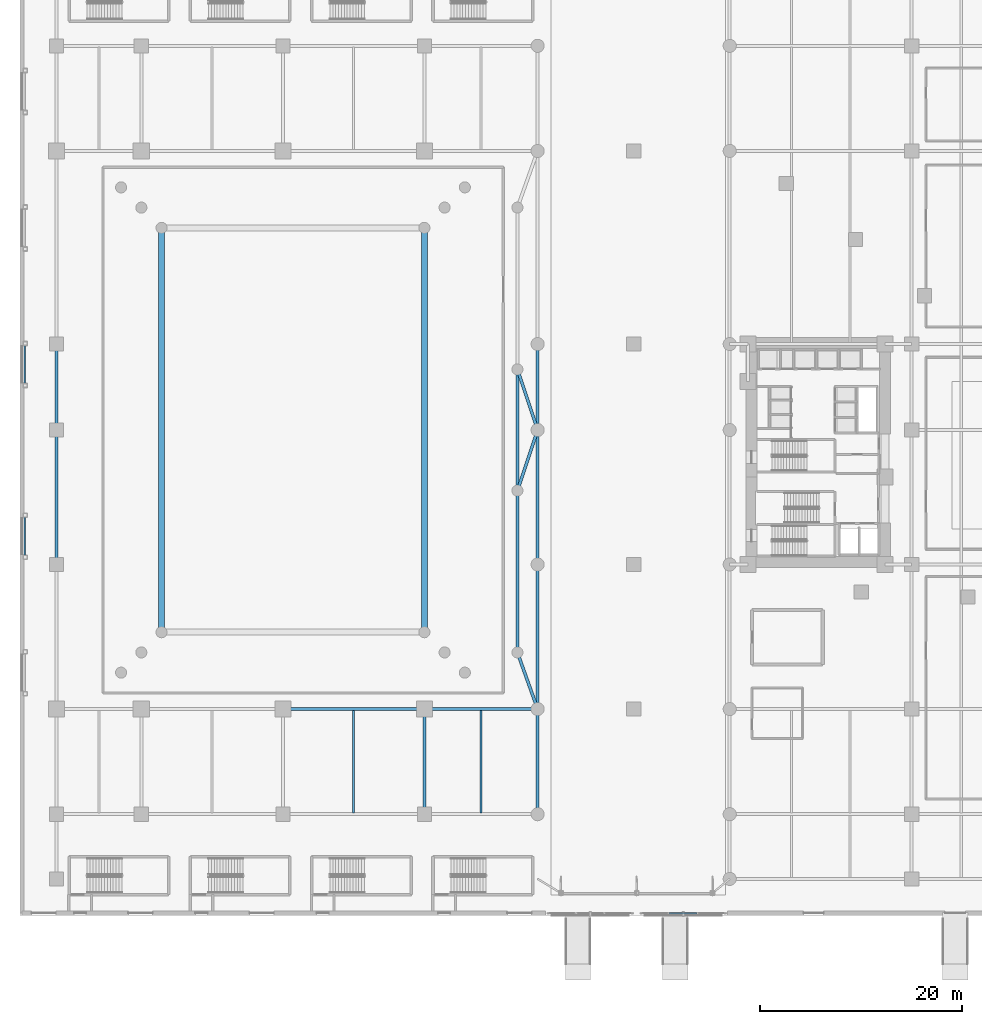
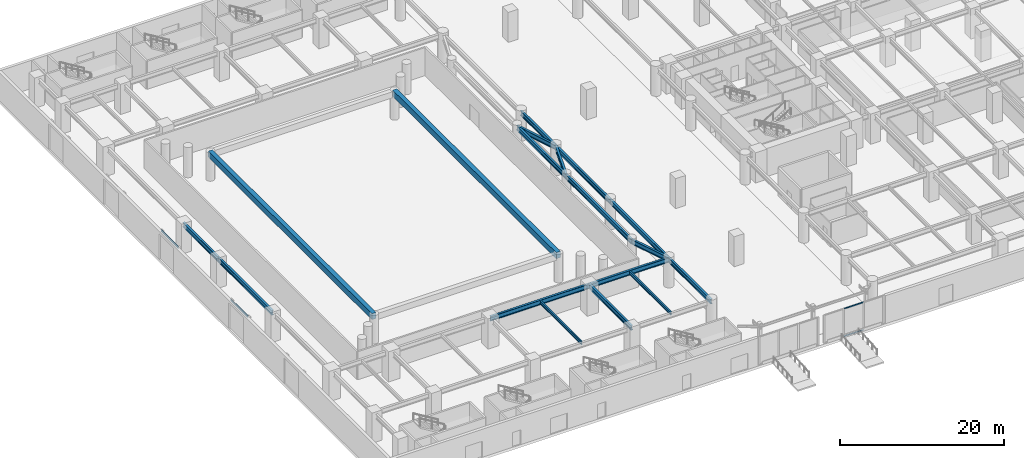
# One storey, part 13 of 42: 20 beams, 2 members, 1 element without a shape of its own.
"""IFC4 building model written with IfcOpenShell, lengths in metres."""

import ifcopenshell
import ifcopenshell.guid

model = None  # the IFC model being written
_history = None  # IfcOwnerHistory: only IFC2X3 demands one
_inside = {}  # id of a spatial element -> (the spatial element, [elements in it])
_under = {}  # id of a project, library or spatial element -> (it, [spatial elements below it])
_declared = {}  # id of a project -> (the project, [libraries it declares])
_typed = {}  # id of a type object -> (the type object, [elements of that type])
_made_of = {}  # id of a material, layer set ... -> (it, [elements and type objects made of it])


def new_model(schema):
    """Start an empty IFC model of exactly this schema.

    Asked for "IFC4X3", IfcOpenShell would pick the latest addendum, in which some entities
    have other attributes; the version numbers below select the first issue.
    IFC2X3 requires an IfcOwnerHistory on every rooted entity: one is made here for all.
    """
    global model, _history
    if schema == "IFC4X3":
        model = ifcopenshell.file(schema_version=(4, 3, 0, 0))
    else:
        model = ifcopenshell.file(schema=schema)
    _inside.clear()
    _under.clear()
    _declared.clear()
    _typed.clear()
    _made_of.clear()
    _history = None
    if model.schema == "IFC2X3":
        org = make("IfcOrganization", Name="unknown")
        user = make(
            "IfcPersonAndOrganization",
            ThePerson=make("IfcPerson", FamilyName="unknown"),
            TheOrganization=org,
        )
        app = make(
            "IfcApplication",
            ApplicationDeveloper=org,
            Version="unknown",
            ApplicationFullName="unknown",
            ApplicationIdentifier="unknown",
        )
        _history = make(
            "IfcOwnerHistory",
            OwningUser=user,
            OwningApplication=app,
            ChangeAction="ADDED",
            CreationDate=0,
        )
    return model


def make(cls, **values):
    """One entity of the class cls with the attributes given. An attribute that is None is left unset."""
    return model.create_entity(
        cls, **{name: value for name, value in values.items() if value is not None}
    )


def rooted(cls, **values):
    """An entity with a GlobalId (a new one), such as an element, a storey or a relation."""
    return make(cls, GlobalId=ifcopenshell.guid.new(), OwnerHistory=_history, **values)


def si_unit(unit_type, name, prefix=None):
    """IfcSIUnit, for example si_unit("LENGTHUNIT", "METRE", prefix="MILLI")."""
    return make("IfcSIUnit", UnitType=unit_type, Prefix=prefix, Name=name)


def assignment(units):
    """IfcUnitAssignment: the units of a project."""
    return None if units is None else make("IfcUnitAssignment", Units=units)


def point(xyz):
    """IfcCartesianPoint."""
    return None if xyz is None else make("IfcCartesianPoint", Coordinates=xyz)


def direction(xyz):
    """IfcDirection."""
    return None if xyz is None else make("IfcDirection", DirectionRatios=xyz)


def frame(location, z_axis=None, x_axis=None):
    """IfcAxis2Placement3D, a coordinate frame: its origin and axes. An axis left out is left unset."""
    return make(
        "IfcAxis2Placement3D",
        Location=point(location),
        Axis=direction(z_axis),
        RefDirection=direction(x_axis),
    )


def frame_2d(location, x_axis=None):
    """IfcAxis2Placement2D, a coordinate frame in the plane: its origin and x axis."""
    return make(
        "IfcAxis2Placement2D", Location=point(location), RefDirection=direction(x_axis)
    )


def origin():
    """The frame at (0, 0, 0) with its axes left unset."""
    return frame((0.0, 0.0, 0.0))


def origin_2d():
    """The frame at (0, 0) in the plane with its x axis left unset."""
    return frame_2d((0.0, 0.0))


def place(relative_to, where):
    """IfcLocalPlacement: puts the frame where relative to a parent placement (None: the world)."""
    return make(
        "IfcLocalPlacement", PlacementRelTo=relative_to, RelativePlacement=where
    )


def context(
    kind, dimensions, precision=None, world=None, true_north=None, identifier=None
):
    """IfcGeometricRepresentationContext, for example the 3D "Model" context."""
    return make(
        "IfcGeometricRepresentationContext",
        ContextIdentifier=identifier,
        ContextType=kind,
        CoordinateSpaceDimension=dimensions,
        Precision=precision,
        WorldCoordinateSystem=world,
        TrueNorth=true_north,
    )


def subcontext(parent, identifier, kind, view, scale=None):
    """IfcGeometricRepresentationSubContext, for example "Body" below "Model"."""
    return make(
        "IfcGeometricRepresentationSubContext",
        ContextIdentifier=identifier,
        ContextType=kind,
        ParentContext=parent,
        TargetScale=scale,
        TargetView=view,
    )


def project(units=None, contexts=None):
    """IfcProject with its units and contexts."""
    return rooted(
        "IfcProject",
        Name="project",
        RepresentationContexts=contexts,
        UnitsInContext=assignment(units),
    )


def spatial(cls, under=None, at=None, **own):
    """A site, building, storey or space (cls), placed at a placement, below another one or the project."""
    s = rooted(cls, ObjectPlacement=at, **own)
    if under is not None:
        _under.setdefault(under.id(), (under, []))[1].append(s)
    return s


def profile(cls, at=None, kind="AREA", **sizes):
    """A parametric profile (cls). Its sizes go by their IFC names, for example OverallWidth=200.0."""
    return make(cls, ProfileType=kind, Position=at, **sizes)


def rectangle(**sizes):
    """IfcRectangleProfileDef."""
    return profile("IfcRectangleProfileDef", **sizes)


def hollow_rectangle(**sizes):
    """IfcRectangleHollowProfileDef."""
    return profile("IfcRectangleHollowProfileDef", **sizes)


def i_section(**sizes):
    """IfcIShapeProfileDef."""
    return profile("IfcIShapeProfileDef", **sizes)


def extrude(swept, where, along, depth):
    """IfcExtrudedAreaSolid: the profile swept, set in the frame where, extruded along a direction by depth."""
    return make(
        "IfcExtrudedAreaSolid",
        SweptArea=swept,
        Position=where,
        ExtrudedDirection=direction(along),
        Depth=depth,
    )


def shape(context_of_items, identifier, shape_type, items):
    """IfcShapeRepresentation: the items that make up one representation, for example the "Body"."""
    return make(
        "IfcShapeRepresentation",
        ContextOfItems=context_of_items,
        RepresentationIdentifier=identifier,
        RepresentationType=shape_type,
        Items=items,
    )


def material(Name=None, Category=None):
    """IfcMaterial."""
    return make("IfcMaterial", Name=Name, Category=Category)


def material_profile(
    of_material, cross_section, Name=None, Category=None, Priority=None
):
    """IfcMaterialProfile: a cross section and its material."""
    return make(
        "IfcMaterialProfile",
        Name=Name,
        Material=of_material,
        Profile=cross_section,
        Priority=Priority,
        Category=Category,
    )


def profile_set(profiles, Name=None, composite=None):
    """IfcMaterialProfileSet."""
    return make(
        "IfcMaterialProfileSet",
        Name=Name,
        MaterialProfiles=profiles,
        CompositeProfile=composite,
    )


def made_of(thing, what):
    """Note that an element or type object is made of a material, layer set ...; save() writes the relation."""
    if what is not None:
        _made_of.setdefault(what.id(), (what, []))[1].append(thing)
    return thing


def type_object(cls, material=None, **own):
    """A type object (cls), such as IfcWallType, which elements share."""
    return made_of(rooted(cls, **own), material)


def element(
    cls,
    number,
    at=None,
    inside=None,
    cuts=None,
    type_object=None,
    material=None,
    context=None,
    identifier="Body",
    shape_type=None,
    held_by="IfcProductDefinitionShape",
    body=None,
    shapes=None,
    **own,
):
    """One element of the class cls, such as IfcWall. Its Tag is "e" and its number.

    at: its placement. inside: the storey or other place that contains it. cuts: it is an
    opening in that element (IfcRelVoidsElement). A single representation is given by context,
    identifier, shape_type and body (its items); several are given by shapes. held_by: the class
    of the entity that holds the representations. save() writes the other relations.
    """
    e = rooted(cls, Tag="e%d" % number, ObjectPlacement=at, **own)
    if body is not None:
        shapes = [shape(context, identifier, shape_type, body)]
    if shapes is not None:
        e.Representation = make(held_by, Representations=shapes)
    if inside is not None:
        _inside.setdefault(inside.id(), (inside, []))[1].append(e)
    if cuts is not None:
        rooted(
            "IfcRelVoidsElement", RelatingBuildingElement=cuts, RelatedOpeningElement=e
        )
    if type_object is not None:
        _typed.setdefault(type_object.id(), (type_object, []))[1].append(e)
    return made_of(e, material)


def aggregate(whole, parts):
    """IfcRelAggregates: a whole, such as a stair, and the parts it consists of."""
    return rooted("IfcRelAggregates", RelatingObject=whole, RelatedObjects=parts)


def save(model, path):
    """Write the relations noted so far, then the file.

    IfcRelAggregates (storeys below a building ...), IfcRelContainedInSpatialStructure (elements
    in a storey), IfcRelDefinesByType, IfcRelAssociatesMaterial and IfcRelDeclares: one each for
    every whole, place, type object, material and project.
    """
    for whole, parts in _under.values():
        aggregate(whole, parts)
    for where, things in _inside.values():
        rooted(
            "IfcRelContainedInSpatialStructure",
            RelatedElements=things,
            RelatingStructure=where,
        )
    for kind, things in _typed.values():
        rooted("IfcRelDefinesByType", RelatedObjects=things, RelatingType=kind)
    for what, things in _made_of.values():
        rooted("IfcRelAssociatesMaterial", RelatedObjects=things, RelatingMaterial=what)
    for by, libraries in _declared.values():
        rooted("IfcRelDeclares", RelatingContext=by, RelatedDefinitions=libraries)
    model.write(path)


model = new_model("IFC4")

# Units and contexts
model_context = context("Model", 3, precision=1e-05, world=origin(), true_north=direction((0.0, 1.0)))
body_context = subcontext(model_context, "Body", "Model", "MODEL_VIEW")
ifc_project = project(units=[si_unit("LENGTHUNIT", "METRE"), si_unit("AREAUNIT", "SQUARE_METRE"), si_unit("VOLUMEUNIT", "CUBIC_METRE"), si_unit("PLANEANGLEUNIT", "RADIAN"), si_unit("MASSUNIT", "GRAM", prefix="KILO")], contexts=[model_context])

# Site, building, storey
site_placement = place(None, origin())
site = spatial("IfcSite", under=ifc_project, at=site_placement, CompositionType="ELEMENT")
building_placement = place(site_placement, origin())
building = spatial("IfcBuilding", under=site, at=building_placement, Name="Narakoshi Arena Tower", CompositionType="ELEMENT")
storey_placement = place(building_placement, origin())
storey = spatial("IfcBuildingStorey", under=building, at=storey_placement, Name="L00", CompositionType="ELEMENT", Elevation=0.0)

# Beams
ifc_material_1 = material(Name="Structural steel S355J2", Category="steel")
ifc_material_profile_1 = material_profile(ifc_material_1, i_section(OverallWidth=0.1201171875, OverallDepth=0.239990234375, WebThickness=0.006103515625, FlangeThickness=0.009765625, FilletRadius=0.014892578125, at=origin_2d()), Name="IPE240")
ifc_profile_set_1 = profile_set([ifc_material_profile_1], Name="Structural steel S355J2")
beam_type_1 = type_object("IfcBeamType", Name="BM-LINT-240", PredefinedType="LINTEL", material=ifc_profile_set_1)
for number, where, z_axis, x_axis, name in (
    (1, (0.469970703125, 56.610107421875, 3.93994140625), (0.0, -1.0, 0.0), (1.0, 0.0, 0.0), "L00 Arena Roller-Shutter Steel Lintel 03"),
    (2, (0.469970703125, 39.610107421875, 3.93994140625), (0.0, -1.0, 0.0), (1.0, 0.0, 0.0), "L00 Arena Roller-Shutter Steel Lintel 04"),
):
    element("IfcBeam", number, at=place(storey_placement, frame(where, z_axis=z_axis, x_axis=x_axis)), inside=storey, type_object=beam_type_1, Name=name, PredefinedType="LINTEL", context=body_context, shape_type="SweptSolid", body=[
        extrude(i_section(OverallWidth=0.1201171875, OverallDepth=0.239990234375, WebThickness=0.006103515625, FlangeThickness=0.009765625, FilletRadius=0.014892578125, at=origin_2d()), origin(), (0.0, 0.0, 1.0), 4.239990234375),
    ])
ifc_material_profile_2 = material_profile(ifc_material_1, i_section(OverallWidth=0.300048828125, OverallDepth=0.699951171875, WebThickness=0.01708984375, FlangeThickness=0.031982421875, FilletRadius=0.027099609375, at=origin_2d()), Name="HE700B")
ifc_profile_set_2 = profile_set([ifc_material_profile_2], Name="Structural steel S355J2")
beam_type_2 = type_object("IfcBeamType", Name="BM-PRI-700", PredefinedType="BEAM", material=ifc_profile_set_2)
beam_1_placement = place(storey_placement, frame((49.199951171875, 26.0, 3.830078125), z_axis=(0.336331195321, -0.94174376932, 0.0), x_axis=(0.94174376932, 0.336331195321, 0.0)))
element("IfcBeam", 3, at=beam_1_placement, inside=storey, type_object=beam_type_2, Name="L00 Arena Foyer Tie Beam 01", PredefinedType="BEAM", context=body_context, shape_type="SweptSolid", body=[
    extrude(i_section(OverallWidth=0.300048828125, OverallDepth=0.699951171875, WebThickness=0.01708984375, FlangeThickness=0.031982421875, FilletRadius=0.027099609375, at=origin_2d()), origin(), (0.0, 0.0, 1.0), 5.946533203125),
])
for number, where, z_axis, x_axis, name in (
    (4, (49.199951171875, 42.0, 3.830078125), (0.316227766017, 0.948683298051, 0.0), (-0.948683298051, 0.316227766017, 0.0), "L00 Arena Foyer Tie Beam 02"),
    (5, (49.199951171875, 54.0, 3.830078125), (0.316227766017, -0.948683298051, 0.0), (0.948683298051, 0.316227766017, 0.0), "L00 Arena Foyer Tie Beam 03"),
):
    element("IfcBeam", number, at=place(storey_placement, frame(where, z_axis=z_axis, x_axis=x_axis)), inside=storey, type_object=beam_type_2, Name=name, PredefinedType="BEAM", context=body_context, shape_type="SweptSolid", body=[
        extrude(i_section(OverallWidth=0.300048828125, OverallDepth=0.699951171875, WebThickness=0.01708984375, FlangeThickness=0.031982421875, FilletRadius=0.027099609375, at=origin_2d()), origin(), (0.0, 0.0, 1.0), 6.324462890625),
    ])
beam_2_placement = place(storey_placement, frame((49.199951171875, 26.0, 3.830078125), z_axis=(0.0, 1.0, 0.0), x_axis=(-1.0, 0.0, 0.0)))
element("IfcBeam", 6, at=beam_2_placement, inside=storey, type_object=beam_type_2, Name="L00 Arena Foyer Ring Beam 26", PredefinedType="BEAM", context=body_context, shape_type="SweptSolid", body=[
    extrude(i_section(OverallWidth=0.300048828125, OverallDepth=0.699951171875, WebThickness=0.01708984375, FlangeThickness=0.031982421875, FilletRadius=0.027099609375, at=origin_2d()), origin(), (0.0, 0.0, 1.0), 16.0),
])
beam_3_placement = place(storey_placement, frame((49.199951171875, 42.0, 3.830078125), z_axis=(0.0, 1.0, 0.0), x_axis=(-1.0, 0.0, 0.0)))
element("IfcBeam", 7, at=beam_3_placement, inside=storey, type_object=beam_type_2, Name="L00 Arena Foyer Ring Beam 42", PredefinedType="BEAM", context=body_context, shape_type="SweptSolid", body=[
    extrude(i_section(OverallWidth=0.300048828125, OverallDepth=0.699951171875, WebThickness=0.01708984375, FlangeThickness=0.031982421875, FilletRadius=0.027099609375, at=origin_2d()), origin(), (0.0, 0.0, 1.0), 12.0),
])
beam_4_placement = place(storey_placement, frame((26.0, 20.39990234375, 3.830078125), z_axis=(1.0, 0.0, 0.0), x_axis=(0.0, 1.0, 0.0)))
element("IfcBeam", 8, at=beam_4_placement, inside=storey, type_object=beam_type_2, Name="L00 Podium Primary X-Girder 015", PredefinedType="BEAM", context=body_context, shape_type="SweptSolid", body=[
    extrude(i_section(OverallWidth=0.300048828125, OverallDepth=0.699951171875, WebThickness=0.01708984375, FlangeThickness=0.031982421875, FilletRadius=0.027099609375, at=origin_2d()), origin(), (0.0, 0.0, 1.0), 14.0),
])
beam_5_placement = place(storey_placement, frame((40.0, 20.39990234375, 3.830078125), z_axis=(1.0, 0.0, 0.0), x_axis=(0.0, 1.0, 0.0)))
element("IfcBeam", 9, at=beam_5_placement, inside=storey, type_object=beam_type_2, Name="L00 Podium Primary X-Girder 016", PredefinedType="BEAM", context=body_context, shape_type="SweptSolid", body=[
    extrude(i_section(OverallWidth=0.300048828125, OverallDepth=0.699951171875, WebThickness=0.01708984375, FlangeThickness=0.031982421875, FilletRadius=0.027099609375, at=origin_2d()), origin(), (0.0, 0.0, 1.0), 11.199951171875),
])
beam_6_placement = place(storey_placement, frame((3.60009765625, 34.699951171875, 3.830078125), z_axis=(0.0, 1.0, 0.0), x_axis=(-1.0, 0.0, 0.0)))
element("IfcBeam", 10, at=beam_6_placement, inside=storey, type_object=beam_type_2, Name="L00 Podium Primary Y-Girder 058", PredefinedType="BEAM", context=body_context, shape_type="SweptSolid", body=[
    extrude(i_section(OverallWidth=0.300048828125, OverallDepth=0.699951171875, WebThickness=0.01708984375, FlangeThickness=0.031982421875, FilletRadius=0.027099609375, at=origin_2d()), origin(), (0.0, 0.0, 1.0), 13.300048828125),
])
beam_7_placement = place(storey_placement, frame((3.60009765625, 48.0, 3.830078125), z_axis=(0.0, 1.0, 0.0), x_axis=(-1.0, 0.0, 0.0)))
element("IfcBeam", 11, at=beam_7_placement, inside=storey, type_object=beam_type_2, Name="L00 Podium Primary Y-Girder 059", PredefinedType="BEAM", context=body_context, shape_type="SweptSolid", body=[
    extrude(i_section(OverallWidth=0.300048828125, OverallDepth=0.699951171875, WebThickness=0.01708984375, FlangeThickness=0.031982421875, FilletRadius=0.027099609375, at=origin_2d()), origin(), (0.0, 0.0, 1.0), 8.5),
])
for number, where, z_axis, x_axis, name in (
    (12, (40.0, 10.0, 3.830078125), (0.0, 1.0, 0.0), (-1.0, 0.0, 0.0), "L00 Podium Primary Y-Girder 067"),
    (13, (51.199951171875, 10.0, 3.830078125), (0.0, 1.0, 0.0), (-1.0, 0.0, 0.0), "L00 Podium Primary Y-Girder 069"),
):
    element("IfcBeam", number, at=place(storey_placement, frame(where, z_axis=z_axis, x_axis=x_axis)), inside=storey, type_object=beam_type_2, Name=name, PredefinedType="BEAM", context=body_context, shape_type="SweptSolid", body=[
        extrude(i_section(OverallWidth=0.300048828125, OverallDepth=0.699951171875, WebThickness=0.01708984375, FlangeThickness=0.031982421875, FilletRadius=0.027099609375, at=origin_2d()), origin(), (0.0, 0.0, 1.0), 10.39990234375),
    ])
beam_8_placement = place(storey_placement, frame((51.199951171875, 20.39990234375, 3.830078125), z_axis=(0.0, 1.0, 0.0), x_axis=(-1.0, 0.0, 0.0)))
element("IfcBeam", 14, at=beam_8_placement, inside=storey, type_object=beam_type_2, Name="L00 Podium Primary Y-Girder 070", PredefinedType="BEAM", context=body_context, shape_type="SweptSolid", body=[
    extrude(i_section(OverallWidth=0.300048828125, OverallDepth=0.699951171875, WebThickness=0.01708984375, FlangeThickness=0.031982421875, FilletRadius=0.027099609375, at=origin_2d()), origin(), (0.0, 0.0, 1.0), 14.300048828125),
])
beam_9_placement = place(storey_placement, frame((51.199951171875, 34.699951171875, 3.830078125), z_axis=(0.0, 1.0, 0.0), x_axis=(-1.0, 0.0, 0.0)))
element("IfcBeam", 15, at=beam_9_placement, inside=storey, type_object=beam_type_2, Name="L00 Podium Primary Y-Girder 071", PredefinedType="BEAM", context=body_context, shape_type="SweptSolid", body=[
    extrude(i_section(OverallWidth=0.300048828125, OverallDepth=0.699951171875, WebThickness=0.01708984375, FlangeThickness=0.031982421875, FilletRadius=0.027099609375, at=origin_2d()), origin(), (0.0, 0.0, 1.0), 13.300048828125),
])
beam_10_placement = place(storey_placement, frame((51.199951171875, 48.0, 3.830078125), z_axis=(0.0, 1.0, 0.0), x_axis=(-1.0, 0.0, 0.0)))
element("IfcBeam", 16, at=beam_10_placement, inside=storey, type_object=beam_type_2, Name="L00 Podium Primary Y-Girder 072", PredefinedType="BEAM", context=body_context, shape_type="SweptSolid", body=[
    extrude(i_section(OverallWidth=0.300048828125, OverallDepth=0.699951171875, WebThickness=0.01708984375, FlangeThickness=0.031982421875, FilletRadius=0.027099609375, at=origin_2d()), origin(), (0.0, 0.0, 1.0), 8.5),
])
ifc_material_2 = material(Name="Concrete C50/60", Category="concrete")
ifc_material_profile_3 = material_profile(ifc_material_2, rectangle(XDim=0.60009765625, YDim=0.89990234375, at=origin_2d()), Name="RCB600x900")
ifc_profile_set_3 = profile_set([ifc_material_profile_3], Name="Concrete C50/60")
beam_type_3 = type_object("IfcBeamType", Name="BM-RC-900", PredefinedType="BEAM", material=ifc_profile_set_3)
for number, where, z_axis, x_axis, name in (
    (17, (40.0, 28.0, 3.77001953125), (0.0, 1.0, 0.0), (-1.0, 0.0, 0.0), "L00 Arena Bowl Concrete Ring Beam 2"),
    (18, (14.0, 68.0, 3.77001953125), (0.0, -1.0, 0.0), (1.0, 0.0, 0.0), "L00 Arena Bowl Concrete Ring Beam 4"),
):
    element("IfcBeam", number, at=place(storey_placement, frame(where, z_axis=z_axis, x_axis=x_axis)), inside=storey, type_object=beam_type_3, Name=name, PredefinedType="BEAM", context=body_context, shape_type="SweptSolid", body=[
        extrude(rectangle(XDim=0.60009765625, YDim=0.89990234375, at=origin_2d()), origin(), (0.0, 0.0, 1.0), 40.0),
    ])
ifc_material_profile_4 = material_profile(ifc_material_1, i_section(OverallWidth=0.199951171875, OverallDepth=0.5, WebThickness=0.01025390625, FlangeThickness=0.01611328125, FilletRadius=0.02099609375, at=origin_2d()), Name="IPE500")
ifc_profile_set_4 = profile_set([ifc_material_profile_4], Name="Structural steel S355J2")
beam_type_4 = type_object("IfcBeamType", Name="BM-SEC-500", PredefinedType="JOIST", material=ifc_profile_set_4)
for number, where, z_axis, x_axis, name in (
    (19, (33.0, 10.135009765625, 3.929931640625), (0.0, 1.0, 0.0), (-1.0, 0.0, 0.0), "L00 Podium Composite Floor Joist 005"),
    (20, (45.60009765625, 10.135009765625, 3.929931640625), (0.0, 1.0, 0.0), (-1.0, 0.0, 0.0), "L00 Podium Composite Floor Joist 007"),
):
    element("IfcBeam", number, at=place(storey_placement, frame(where, z_axis=z_axis, x_axis=x_axis)), inside=storey, type_object=beam_type_4, Name=name, PredefinedType="JOIST", context=body_context, shape_type="SweptSolid", body=[
        extrude(i_section(OverallWidth=0.199951171875, OverallDepth=0.5, WebThickness=0.01025390625, FlangeThickness=0.01611328125, FilletRadius=0.02099609375, at=origin_2d()), origin(), (0.0, 0.0, 1.0), 10.1298828125),
    ])

# Curtain wall, members
ifc_material_3 = material(Name="Anodised bronze aluminium 6063-T6", Category="aluminium")
curtain_wall_type = type_object("IfcCurtainWallType", Name="CW-POD-CONC", PredefinedType="NOTDEFINED", material=ifc_material_3)
curtain_wall_placement = place(storey_placement, origin())
curtain_wall = element("IfcCurtainWall", 21, at=curtain_wall_placement, inside=storey, type_object=curtain_wall_type, Name="L00 Street Concourse Curtain Wall CS2", PredefinedType="NOTDEFINED")
ifc_material_profile_5 = material_profile(ifc_material_3, hollow_rectangle(XDim=0.070068359375, YDim=0.159912109375, WallThickness=0.00390625, OuterFilletRadius=0.0048828125, at=origin_2d()), Name="TRN160x70x4")
ifc_profile_set_5 = profile_set([ifc_material_profile_5], Name="Anodised bronze aluminium 6063-T6")
member_type = type_object("IfcMemberType", Name="MEM-TRN-160", PredefinedType="USERDEFINED", material=ifc_profile_set_5)
member_1_placement = place(storey_placement, frame((64.239990234375, 0.2099609375, 0.034912109375), z_axis=(1.0, 0.0, 0.0), x_axis=(0.0, 1.0, 0.0)))
member_1 = element("IfcMember", 22, at=member_1_placement, type_object=member_type, Name="CW-04 transom 2.1", ObjectType="TRANSOM", PredefinedType="USERDEFINED", context=body_context, shape_type="SweptSolid", body=[
    extrude(hollow_rectangle(XDim=0.070068359375, YDim=0.159912109375, WallThickness=0.00390625, OuterFilletRadius=0.0048828125, at=origin_2d()), origin(), (0.0, 0.0, 1.0), 2.719970703125),
])
member_2_placement = place(storey_placement, frame((64.239990234375, 0.2099609375, 4.14501953125), z_axis=(1.0, 0.0, 0.0), x_axis=(0.0, 1.0, 0.0)))
member_2 = element("IfcMember", 23, at=member_2_placement, type_object=member_type, Name="CW-04 transom 2.2", ObjectType="TRANSOM", PredefinedType="USERDEFINED", context=body_context, shape_type="SweptSolid", body=[
    extrude(hollow_rectangle(XDim=0.070068359375, YDim=0.159912109375, WallThickness=0.00390625, OuterFilletRadius=0.0048828125, at=origin_2d()), origin(), (0.0, 0.0, 1.0), 2.719970703125),
])
aggregate(curtain_wall, [member_1, member_2])

save(model, "model.ifc")
